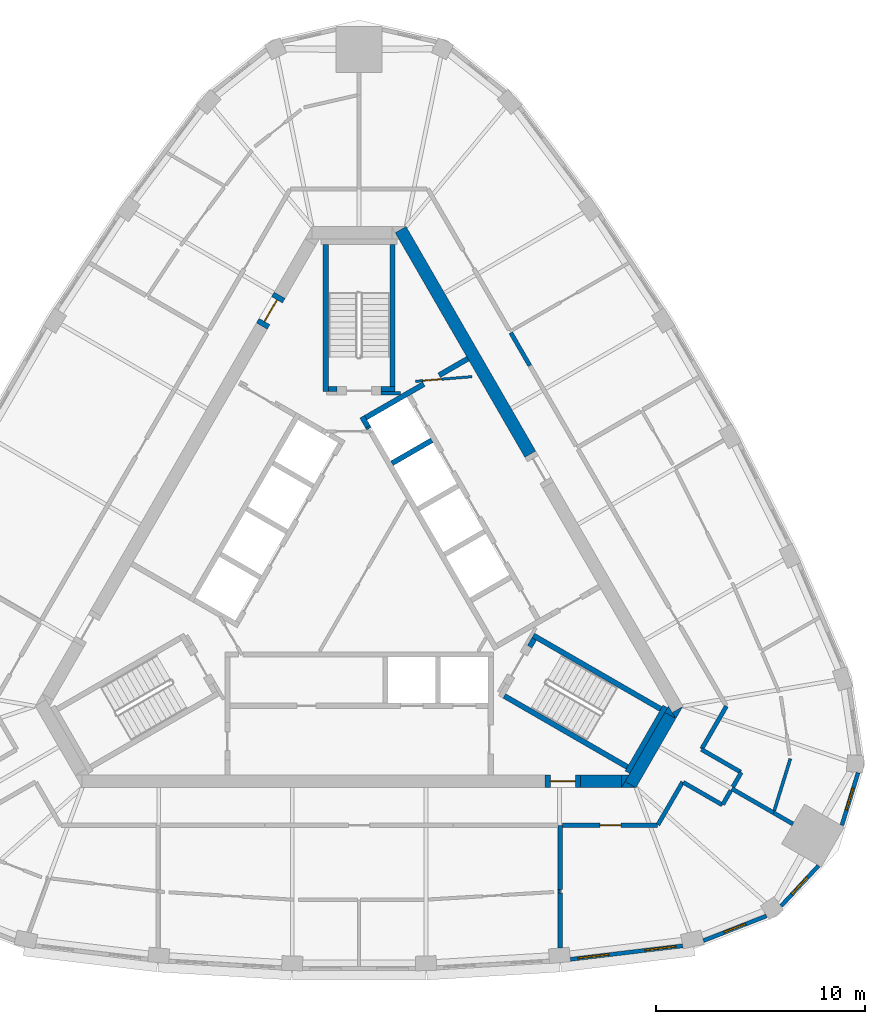
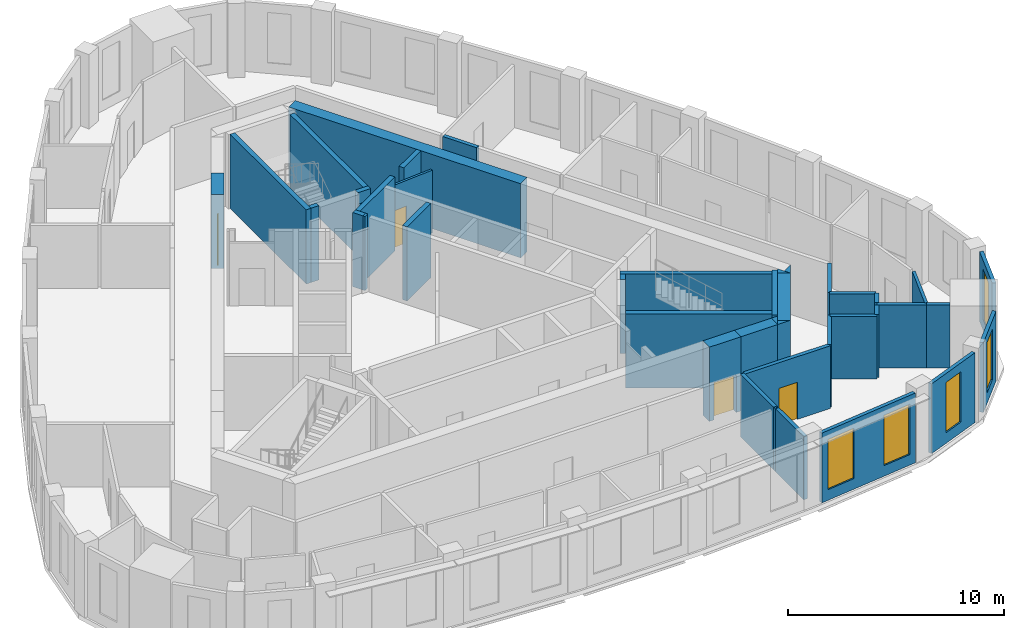
# One storey, part 6 of 10: 42 walls, 5 windows, 4 doors, 9 openings.
"""IFC4 building model written with IfcOpenShell, lengths in metres."""

from ifc_helpers import new_model, si_unit, direction, frame, frame_2d, origin, place, context, subcontext, project, spatial, polyline, rectangle, outline, extrude, material, layer, layer_set, type_object, element, fill, save


model = new_model("IFC4")

# Units and contexts
model_context = context("Model", 3, precision=1e-05, world=origin(), true_north=direction((0.0, 1.0)))
body_context = subcontext(model_context, "Body", "Model", "MODEL_VIEW")
ifc_project = project(units=[si_unit("LENGTHUNIT", "METRE"), si_unit("AREAUNIT", "SQUARE_METRE"), si_unit("VOLUMEUNIT", "CUBIC_METRE"), si_unit("PLANEANGLEUNIT", "RADIAN"), si_unit("MASSUNIT", "GRAM", prefix="KILO")], contexts=[model_context])

# Site, building, storey
site_placement = place(None, origin())
site = spatial("IfcSite", under=ifc_project, at=site_placement, CompositionType="ELEMENT")
building_placement = place(site_placement, origin())
building = spatial("IfcBuilding", under=site, at=building_placement, Name="Mestral Congress Tower", CompositionType="ELEMENT")
storey_placement = place(building_placement, frame((0.0, 0.0, 313.199951171875)))
storey = spatial("IfcBuildingStorey", under=building, at=storey_placement, Name="L73", CompositionType="ELEMENT", Elevation=313.199951171875)

# Wall
ifc_material_1 = material(Name="Fire-rated board partition")
ifc_layer_1 = layer(ifc_material_1, 0.14990234375)
ifc_layer_set_1 = layer_set([ifc_layer_1], Name="Fire-rated board partition")
wall_type_1 = type_object("IfcWallType", Name="Core partition 150", PredefinedType="PARTITIONING", material=ifc_layer_set_1)
wall_1_placement = place(storey_placement, frame((1.050048828125, 8.62548828125, 0.0), z_axis=(0.0, 0.0, 1.0), x_axis=(1.0, 0.0, 0.0)))
element("IfcWall", 1, at=wall_1_placement, inside=storey, type_object=wall_type_1, Name="L73 core wall", PredefinedType="PARTITIONING", context=body_context, shape_type="SweptSolid", body=[
    extrude(rectangle(XDim=0.9287109375, YDim=0.14990234375, at=frame_2d((0.46435546875, 0.0))), origin(), (0.0, 0.0, 1.0), 3.550048828125),
])

# Wall, opening, door
ifc_layer_2 = layer(ifc_material_1, 0.1201171875)
ifc_layer_set_2 = layer_set([ifc_layer_2], Name="Fire-rated board partition")
wall_type_2 = type_object("IfcWallType", Name="Core partition 150 door-wall 120", PredefinedType="PARTITIONING", material=ifc_layer_set_2)
wall_2_placement = place(storey_placement, frame((5.3984375, 9.418701171875, 0.0), z_axis=(0.0, 0.0, 1.0), x_axis=(-0.996653416376, -0.081743303248, 0.0)))
wall_2 = element("IfcWall", 2, at=wall_2_placement, inside=storey, type_object=wall_type_2, Name="L73 door wall", PredefinedType="PARTITIONING", context=body_context, shape_type="SweptSolid", body=[
    extrude(rectangle(XDim=2.699951171875, YDim=0.119873046875, at=frame_2d((1.35009765625, 0.0))), origin(), (0.0, 0.0, 1.0), 3.550048828125),
])
opening_1_placement = place(wall_2_placement, frame((1.449951171875, 0.0, 0.0)))
opening_1 = element("IfcOpeningElement", 3, at=opening_1_placement, cuts=wall_2, Name="Opening TD2", PredefinedType="OPENING", context=body_context, shape_type="SweptSolid", body=[
    extrude(rectangle(XDim=0.89990234375, YDim=2.10009765625, at=frame_2d((0.449951171875, 1.050048828125))), frame((0.0, 0.06982421875, 0.0), z_axis=(0.0, -1.0, 0.0), x_axis=(1.0, 0.0, 0.0)), (0.0, 0.0, 1.0), 0.139892578125),
])
ifc_material_2 = material(Name="Fire-rated steel door set", Category="steel")
door_type_1 = type_object("IfcDoorType", Name="Core door SR 900x2100", OperationType="SINGLE_SWING_LEFT", PredefinedType="DOOR", material=ifc_material_2)
door_1_placement = place(opening_1_placement, origin())
door_1 = element("IfcDoor", 4, at=door_1_placement, inside=storey, type_object=door_type_1, Name="Door TD2", OperationType="SINGLE_SWING_LEFT", OverallHeight=2.10009765625, OverallWidth=0.89990234375, PredefinedType="DOOR", context=body_context, shape_type="SweptSolid", body=[
    extrude(rectangle(XDim=0.89990234375, YDim=2.10009765625, at=frame_2d((0.449951171875, 1.050048828125))), frame((0.0, 0.02490234375, 0.0), z_axis=(0.0, -1.0, 0.0), x_axis=(1.0, 0.0, 0.0)), (0.0, 0.0, 1.0), 0.050048828125),
])
fill(opening_1, door_1)

# Walls
ifc_material_3 = material(Name="Concrete C60/75", Category="concrete")
ifc_layer_3 = layer(ifc_material_3, 0.60009765625)
ifc_layer_set_3 = layer_set([ifc_layer_3], Name="Concrete C60/75")
wall_type_3 = type_object("IfcWallType", Name="Core wall RC 600", PredefinedType="SOLIDWALL", material=ifc_layer_set_3)
placement = place(storey_placement, origin())
element("IfcWall", 5, at=placement, inside=storey, type_object=wall_type_3, Name="L73 core wall", PredefinedType="SOLIDWALL", context=body_context, shape_type="SweptSolid", body=[
    extrude(outline(polyline([(15.155517578125, -6.949951171875), (14.986572265625, -6.6572265625), (15.493408203125, -6.364501953125), (15.155517578125, -6.949951171875)])), origin(), (0.0, 0.0, 1.0), 4.199951171875),
])
wall_4_placement = place(storey_placement, frame((12.9873046875, -10.105712890625, 0.0), z_axis=(0.0, 0.0, 1.0), x_axis=(0.499950938802, 0.866053727428, 0.0)))
element("IfcWall", 6, at=wall_4_placement, inside=storey, type_object=wall_type_3, Name="L73 core wall", PredefinedType="SOLIDWALL", context=body_context, shape_type="SweptSolid", body=[
    extrude(rectangle(XDim=3.8232421875, YDim=0.60009765625, at=frame_2d((1.91162109375, 0.0))), origin(), (0.0, 0.0, 1.0), 4.199951171875),
])
element("IfcWall", 7, at=placement, inside=storey, type_object=wall_type_3, Name="L73 core wall", PredefinedType="SOLIDWALL", context=body_context, shape_type="SweptSolid", body=[
    extrude(outline(polyline([(12.726318359375, -9.957275390625), (13.2333984375, -10.25), (12.557373046875, -10.25), (12.726318359375, -9.957275390625)])), origin(), (0.0, 0.0, 1.0), 4.199951171875),
])
element("IfcWall", 8, at=placement, inside=storey, type_object=wall_type_3, Name="L73 core wall", PredefinedType="SOLIDWALL", context=body_context, shape_type="SweptSolid", body=[
    extrude(outline(polyline([(14.80908203125, -6.35009765625), (15.147216796875, -6.935791015625), (14.639892578125, -6.642822265625), (14.80908203125, -6.35009765625)])), origin(), (0.0, 0.0, 1.0), 4.199951171875),
])
wall_7_placement = place(storey_placement, frame((10.6044921875, -9.949951171875, 0.0), z_axis=(0.0, 0.0, 1.0), x_axis=(1.0, 0.0, 0.0)))
element("IfcWall", 9, at=wall_7_placement, inside=storey, type_object=wall_type_3, Name="L73 core wall", PredefinedType="SOLIDWALL", context=body_context, shape_type="SweptSolid", body=[
    extrude(rectangle(XDim=1.959228515625, YDim=0.60009765625, at=frame_2d((0.9794921875, 0.0))), origin(), (0.0, 0.0, 1.0), 4.199951171875),
])
element("IfcWall", 10, at=placement, inside=storey, type_object=wall_type_3, Name="L73 core wall", PredefinedType="SOLIDWALL", context=body_context, shape_type="SweptSolid", body=[
    extrude(outline(polyline([(12.90380859375, -9.64990234375), (12.56591796875, -10.235595703125), (12.56591796875, -9.64990234375), (12.90380859375, -9.64990234375)])), origin(), (0.0, 0.0, 1.0), 4.199951171875),
])
wall_9_placement = place(storey_placement, frame((1.98876953125, 16.45556640625, 0.0), z_axis=(0.0, 0.0, 1.0), x_axis=(0.49999102663, -0.8660305845, 0.0)))
element("IfcWall", 11, at=wall_9_placement, inside=storey, type_object=wall_type_3, Name="L73 core wall", PredefinedType="SOLIDWALL", context=body_context, shape_type="SweptSolid", body=[
    extrude(rectangle(XDim=12.406494140625, YDim=0.60009765625, at=frame_2d((6.203125, 0.0))), origin(), (0.0, 0.0, 1.0), 4.199951171875),
])

# Wall, opening, door
wall_10_placement = place(storey_placement, frame((10.6044921875, -9.949951171875, 0.0), z_axis=(0.0, 0.0, 1.0), x_axis=(-1.0, 0.0, 0.0)))
wall_10 = element("IfcWall", 12, at=wall_10_placement, inside=storey, type_object=wall_type_3, Name="L73 door wall", PredefinedType="SOLIDWALL", context=body_context, shape_type="SweptSolid", body=[
    extrude(rectangle(XDim=1.699951171875, YDim=0.60009765625, at=frame_2d((0.85009765625, 0.0))), origin(), (0.0, 0.0, 1.0), 4.199951171875),
])
opening_2_placement = place(wall_10_placement, frame((0.25, 0.0, 0.0)))
opening_2 = element("IfcOpeningElement", 13, at=opening_2_placement, cuts=wall_10, Name="Opening XD1", PredefinedType="OPENING", context=body_context, shape_type="SweptSolid", body=[
    extrude(rectangle(XDim=1.199951171875, YDim=2.10009765625, at=frame_2d((0.60009765625, 1.050048828125))), frame((0.0, 0.31005859375, 0.0), z_axis=(0.0, -1.0, 0.0), x_axis=(1.0, 0.0, 0.0)), (0.0, 0.0, 1.0), 0.6201171875),
])
door_type_2 = type_object("IfcDoorType", Name="Core door XD 1200x2100", OperationType="SINGLE_SWING_LEFT", PredefinedType="DOOR", material=ifc_material_2)
door_2_placement = place(opening_2_placement, origin())
door_2 = element("IfcDoor", 14, at=door_2_placement, inside=storey, type_object=door_type_2, Name="Door XD1", OperationType="SINGLE_SWING_LEFT", OverallHeight=2.10009765625, OverallWidth=1.199951171875, PredefinedType="DOOR", context=body_context, shape_type="SweptSolid", body=[
    extrude(rectangle(XDim=1.199951171875, YDim=2.10009765625, at=frame_2d((0.60009765625, 1.050048828125))), frame((0.0, 0.02490234375, 0.0), z_axis=(0.0, -1.0, 0.0), x_axis=(1.0, 0.0, 0.0)), (0.0, 0.0, 1.0), 0.050048828125),
])
fill(opening_2, door_2)

wall_11_placement = place(storey_placement, frame((-4.65234375, 11.842041015625, 0.0), z_axis=(0.0, 0.0, 1.0), x_axis=(0.500062241894, 0.865989465428, 0.0)))
wall_11 = element("IfcWall", 15, at=wall_11_placement, inside=storey, type_object=wall_type_3, Name="L73 door wall", PredefinedType="SOLIDWALL", context=body_context, shape_type="SweptSolid", body=[
    extrude(rectangle(XDim=1.699951171875, YDim=0.60009765625, at=frame_2d((0.85009765625, 0.0))), origin(), (0.0, 0.0, 1.0), 4.199951171875),
])
opening_3_placement = place(wall_11_placement, frame((0.25, 0.0, 0.0)))
opening_3 = element("IfcOpeningElement", 16, at=opening_3_placement, cuts=wall_11, Name="Opening XD2", PredefinedType="OPENING", context=body_context, shape_type="SweptSolid", body=[
    extrude(rectangle(XDim=1.199951171875, YDim=2.10009765625, at=frame_2d((0.60009765625, 1.050048828125))), frame((0.0, 0.31005859375, 0.0), z_axis=(0.0, -1.0, 0.0), x_axis=(1.0, 0.0, 0.0)), (0.0, 0.0, 1.0), 0.6201171875),
])
door_3_placement = place(opening_3_placement, origin())
door_3 = element("IfcDoor", 17, at=door_3_placement, inside=storey, type_object=door_type_2, Name="Door XD2", OperationType="SINGLE_SWING_LEFT", OverallHeight=2.10009765625, OverallWidth=1.199951171875, PredefinedType="DOOR", context=body_context, shape_type="SweptSolid", body=[
    extrude(rectangle(XDim=1.199951171875, YDim=2.10009765625, at=frame_2d((0.60009765625, 1.050048828125))), frame((0.0, 0.02490234375, 0.0), z_axis=(0.0, -1.0, 0.0), x_axis=(1.0, 0.0, 0.0)), (0.0, 0.0, 1.0), 0.050048828125),
])
fill(opening_3, door_3)

# Wall, openings, windows
ifc_material_4 = material(Name="Precast concrete C40/50 with limestone facing", Category="masonry")
ifc_layer_4 = layer(ifc_material_4, 0.18994140625)
ifc_layer_set_4 = layer_set([ifc_layer_4], Name="Precast concrete C40/50 with limestone facing")
wall_type_4 = type_object("IfcWallType", Name="Facade stone wall 190", PredefinedType="SOLIDWALL", material=ifc_layer_set_4)
wall_12_placement = place(storey_placement, frame((10.110595703125, -18.4677734375, 0.0), z_axis=(0.0, 0.0, 1.0), x_axis=(0.992885582795, 0.119072328769, 0.0)))
wall_12 = element("IfcWall", 18, at=wall_12_placement, inside=storey, type_object=wall_type_4, Name="Facade wall F0-04", PredefinedType="SOLIDWALL", context=body_context, shape_type="SweptSolid", body=[
    extrude(rectangle(XDim=5.4150390625, YDim=0.18994140625, at=frame_2d((2.70751953125, 0.0))), origin(), (0.0, 0.0, 1.0), 3.949951171875),
])
opening_4_placement = place(wall_12_placement, frame((0.357421875, 0.0, 0.60009765625)))
opening_4 = element("IfcOpeningElement", 19, at=opening_4_placement, cuts=wall_12, Name="Opening W6", PredefinedType="OPENING", context=body_context, shape_type="SweptSolid", body=[
    extrude(rectangle(XDim=1.5, YDim=2.85009765625, at=frame_2d((0.75, 1.425048828125))), frame((0.0, 0.10498046875, 0.0), z_axis=(0.0, -1.0, 0.0), x_axis=(1.0, 0.0, 0.0)), (0.0, 0.0, 1.0), 0.2099609375),
])
opening_5_placement = place(wall_12_placement, frame((3.592529296875, 0.0, 0.60009765625)))
opening_5 = element("IfcOpeningElement", 20, at=opening_5_placement, cuts=wall_12, Name="Opening W6", PredefinedType="OPENING", context=body_context, shape_type="SweptSolid", body=[
    extrude(rectangle(XDim=1.5, YDim=2.85009765625, at=frame_2d((0.75, 1.425048828125))), frame((0.0, 0.10498046875, 0.0), z_axis=(0.0, -1.0, 0.0), x_axis=(1.0, 0.0, 0.0)), (0.0, 0.0, 1.0), 0.2099609375),
])
ifc_material_5 = material(Name="Clear low-emissivity double glazing", Category="glass")
window_type_1 = type_object("IfcWindowType", Name="Facade punched window 1500 x 2850 sill 600", PartitioningType="SINGLE_PANEL", PredefinedType="WINDOW", material=ifc_material_5)
window_1_placement = place(opening_4_placement, origin())
window_1 = element("IfcWindow", 21, at=window_1_placement, inside=storey, type_object=window_type_1, Name="Window F0-04a", OverallHeight=2.85009765625, OverallWidth=1.5, PartitioningType="SINGLE_PANEL", PredefinedType="WINDOW", context=body_context, shape_type="SweptSolid", body=[
    extrude(rectangle(XDim=1.5, YDim=2.85009765625, at=frame_2d((0.75, 1.425048828125))), frame((0.0, 0.044921875, 0.0), z_axis=(0.0, -1.0, 0.0), x_axis=(1.0, 0.0, 0.0)), (0.0, 0.0, 1.0), 0.06005859375),
])
fill(opening_4, window_1)
window_2_placement = place(opening_5_placement, origin())
window_2 = element("IfcWindow", 22, at=window_2_placement, inside=storey, type_object=window_type_1, Name="Window F0-04b", OverallHeight=2.85009765625, OverallWidth=1.5, PartitioningType="SINGLE_PANEL", PredefinedType="WINDOW", context=body_context, shape_type="SweptSolid", body=[
    extrude(rectangle(XDim=1.5, YDim=2.85009765625, at=frame_2d((0.75, 1.425048828125))), frame((0.0, 0.044921875, 0.0), z_axis=(0.0, -1.0, 0.0), x_axis=(1.0, 0.0, 0.0)), (0.0, 0.0, 1.0), 0.06005859375),
])
fill(opening_5, window_2)

# Wall, opening, window
wall_13_placement = place(storey_placement, frame((16.48291015625, -17.572998046875, 0.0), z_axis=(0.0, 0.0, 1.0), x_axis=(0.93100888477, 0.364996515709, 0.0)))
wall_13 = element("IfcWall", 23, at=wall_13_placement, inside=storey, type_object=wall_type_4, Name="Facade wall K0-0", PredefinedType="SOLIDWALL", context=body_context, shape_type="SweptSolid", body=[
    extrude(rectangle(XDim=3.23681640625, YDim=0.18994140625, at=frame_2d((1.618408203125, 0.0))), origin(), (0.0, 0.0, 1.0), 3.949951171875),
])
opening_6_placement = place(wall_13_placement, frame((1.068359375, 0.0, 0.60009765625)))
opening_6 = element("IfcOpeningElement", 24, at=opening_6_placement, cuts=wall_13, Name="Opening W7", PredefinedType="OPENING", context=body_context, shape_type="SweptSolid", body=[
    extrude(rectangle(XDim=1.10009765625, YDim=2.85009765625, at=frame_2d((0.550048828125, 1.425048828125))), frame((0.0, 0.10498046875, 0.0), z_axis=(0.0, -1.0, 0.0), x_axis=(1.0, 0.0, 0.0)), (0.0, 0.0, 1.0), 0.2099609375),
])
window_type_2 = type_object("IfcWindowType", Name="Facade punched window 1100 x 2850 sill 600", PartitioningType="SINGLE_PANEL", PredefinedType="WINDOW", material=ifc_material_5)
window_3_placement = place(opening_6_placement, origin())
window_3 = element("IfcWindow", 25, at=window_3_placement, inside=storey, type_object=window_type_2, Name="Window K0-0", OverallHeight=2.85009765625, OverallWidth=1.10009765625, PartitioningType="SINGLE_PANEL", PredefinedType="WINDOW", context=body_context, shape_type="SweptSolid", body=[
    extrude(rectangle(XDim=1.10009765625, YDim=2.85009765625, at=frame_2d((0.550048828125, 1.425048828125))), frame((0.0, 0.044921875, 0.0), z_axis=(0.0, -1.0, 0.0), x_axis=(1.0, 0.0, 0.0)), (0.0, 0.0, 1.0), 0.06005859375),
])
fill(opening_6, window_3)

wall_14_placement = place(storey_placement, frame((20.197998046875, -15.91357421875, 0.0), z_axis=(0.0, 0.0, 1.0), x_axis=(0.680219354823, 0.733008614768, 0.0)))
wall_14 = element("IfcWall", 26, at=wall_14_placement, inside=storey, type_object=wall_type_4, Name="Facade wall K0-1", PredefinedType="SOLIDWALL", context=body_context, shape_type="SweptSolid", body=[
    extrude(rectangle(XDim=2.626953125, YDim=0.18994140625, at=frame_2d((1.3134765625, 0.0))), origin(), (0.0, 0.0, 1.0), 3.949951171875),
])
opening_7_placement = place(wall_14_placement, frame((0.763427734375, 0.0, 0.60009765625)))
opening_7 = element("IfcOpeningElement", 27, at=opening_7_placement, cuts=wall_14, Name="Opening W7", PredefinedType="OPENING", context=body_context, shape_type="SweptSolid", body=[
    extrude(rectangle(XDim=1.10009765625, YDim=2.85009765625, at=frame_2d((0.550048828125, 1.425048828125))), frame((0.0, 0.10498046875, 0.0), z_axis=(0.0, -1.0, 0.0), x_axis=(1.0, 0.0, 0.0)), (0.0, 0.0, 1.0), 0.2099609375),
])
window_4_placement = place(opening_7_placement, origin())
window_4 = element("IfcWindow", 28, at=window_4_placement, inside=storey, type_object=window_type_2, Name="Window K0-1", OverallHeight=2.85009765625, OverallWidth=1.10009765625, PartitioningType="SINGLE_PANEL", PredefinedType="WINDOW", context=body_context, shape_type="SweptSolid", body=[
    extrude(rectangle(XDim=1.10009765625, YDim=2.85009765625, at=frame_2d((0.550048828125, 1.425048828125))), frame((0.0, 0.044921875, 0.0), z_axis=(0.0, -1.0, 0.0), x_axis=(1.0, 0.0, 0.0)), (0.0, 0.0, 1.0), 0.06005859375),
])
fill(opening_7, window_4)

wall_15_placement = place(storey_placement, frame((23.1064453125, -12.04541015625, 0.0), z_axis=(0.0, 0.0, 1.0), x_axis=(0.294706210429, 0.9555879078, 0.0)))
wall_15 = element("IfcWall", 29, at=wall_15_placement, inside=storey, type_object=wall_type_4, Name="Facade wall K0-2", PredefinedType="SOLIDWALL", context=body_context, shape_type="SweptSolid", body=[
    extrude(rectangle(XDim=2.626953125, YDim=0.18994140625, at=frame_2d((1.3134765625, 0.0))), origin(), (0.0, 0.0, 1.0), 3.949951171875),
])
opening_8_placement = place(wall_15_placement, frame((0.763427734375, 0.0, 0.60009765625)))
opening_8 = element("IfcOpeningElement", 30, at=opening_8_placement, cuts=wall_15, Name="Opening W7", PredefinedType="OPENING", context=body_context, shape_type="SweptSolid", body=[
    extrude(rectangle(XDim=1.10009765625, YDim=2.85009765625, at=frame_2d((0.550048828125, 1.425048828125))), frame((0.0, 0.10498046875, 0.0), z_axis=(0.0, -1.0, 0.0), x_axis=(1.0, 0.0, 0.0)), (0.0, 0.0, 1.0), 0.2099609375),
])
window_5_placement = place(opening_8_placement, origin())
window_5 = element("IfcWindow", 31, at=window_5_placement, inside=storey, type_object=window_type_2, Name="Window K0-2", OverallHeight=2.85009765625, OverallWidth=1.10009765625, PartitioningType="SINGLE_PANEL", PredefinedType="WINDOW", context=body_context, shape_type="SweptSolid", body=[
    extrude(rectangle(XDim=1.10009765625, YDim=2.85009765625, at=frame_2d((0.550048828125, 1.425048828125))), frame((0.0, 0.044921875, 0.0), z_axis=(0.0, -1.0, 0.0), x_axis=(1.0, 0.0, 0.0)), (0.0, 0.0, 1.0), 0.06005859375),
])
fill(opening_8, window_5)

# Walls
ifc_material_6 = material(Name="Plasterboard partition on steel studs", Category="steel")
ifc_layer_5 = layer(ifc_material_6, 0.14990234375)
ifc_layer_set_5 = layer_set([ifc_layer_5], Name="Plasterboard partition on steel studs")
wall_type_5 = type_object("IfcWallType", Name="Office partition 150", PredefinedType="PARTITIONING", material=ifc_layer_set_5)
wall_16_placement = place(storey_placement, frame((9.528076171875, -15.218994140625, 0.0), z_axis=(0.0, 0.0, 1.0), x_axis=(0.992830592569, 0.119529973061, 0.0)))
element("IfcWall", 32, at=wall_16_placement, inside=storey, type_object=wall_type_5, Name="Partition", PredefinedType="PARTITIONING", context=body_context, shape_type="SweptSolid", body=[
    extrude(rectangle(XDim=0.10009765625, YDim=0.14990234375, at=frame_2d((0.050048828125, 0.0))), origin(), (0.0, 0.0, 1.0), 3.550048828125),
])
wall_17_placement = place(storey_placement, frame((19.87060546875, -11.35693359375, 0.0), z_axis=(0.0, 0.0, 1.0), x_axis=(0.294698154857, 0.955590392126, 0.0)))
element("IfcWall", 33, at=wall_17_placement, inside=storey, type_object=wall_type_5, Name="Partition", PredefinedType="PARTITIONING", context=body_context, shape_type="SweptSolid", body=[
    extrude(rectangle(XDim=2.60546875, YDim=0.14990234375, at=frame_2d((1.302734375, 0.0))), origin(), (0.0, 0.0, 1.0), 3.550048828125),
])
ifc_material_7 = material(Name="Dense masonry wall, plastered", Category="masonry")
ifc_layer_6 = layer(ifc_material_7, 0.199951171875)
ifc_layer_set_6 = layer_set([ifc_layer_6], Name="Dense masonry wall, plastered")
wall_type_6 = type_object("IfcWallType", Name="Office tenancy wall 200", PredefinedType="PARTITIONING", material=ifc_layer_set_6)
wall_18_placement = place(storey_placement, frame((9.62744140625, -15.28271484375, 0.0), z_axis=(0.0, 0.0, 1.0), x_axis=(0.0, -1.0, 0.0)))
element("IfcWall", 34, at=wall_18_placement, inside=storey, type_object=wall_type_6, Name="Tenancy wall", PredefinedType="PARTITIONING", context=body_context, shape_type="SweptSolid", body=[
    extrude(rectangle(XDim=2.635986328125, YDim=0.199951171875, at=frame_2d((1.31787109375, 0.0))), origin(), (0.0, 0.0, 1.0), 3.550048828125),
])
wall_19_placement = place(storey_placement, frame((9.62744140625, -12.050048828125, 0.0), z_axis=(0.0, 0.0, 1.0), x_axis=(0.0, -1.0, 0.0)))
element("IfcWall", 35, at=wall_19_placement, inside=storey, type_object=wall_type_6, Name="Tenancy wall", PredefinedType="PARTITIONING", context=body_context, shape_type="SweptSolid", body=[
    extrude(rectangle(XDim=3.08154296875, YDim=0.199951171875, at=frame_2d((1.540771484375, 0.0))), origin(), (0.0, 0.0, 1.0), 3.550048828125),
])
wall_20_placement = place(storey_placement, frame((19.8369140625, -11.452880859375, 0.0), z_axis=(0.0, 0.0, 1.0), x_axis=(0.866049104564, -0.499958946799, 0.0)))
element("IfcWall", 36, at=wall_20_placement, inside=storey, type_object=wall_type_6, Name="Tenancy wall", PredefinedType="PARTITIONING", context=body_context, shape_type="SweptSolid", body=[
    extrude(rectangle(XDim=1.072265625, YDim=0.199951171875, at=frame_2d((0.5361328125, 0.0))), origin(), (0.0, 0.0, 1.0), 3.550048828125),
])
wall_21_placement = place(storey_placement, frame((17.840087890625, -10.300048828125, 0.0), z_axis=(0.0, 0.0, 1.0), x_axis=(0.866066110499, -0.499929487274, 0.0)))
element("IfcWall", 37, at=wall_21_placement, inside=storey, type_object=wall_type_6, Name="Tenancy wall", PredefinedType="PARTITIONING", context=body_context, shape_type="SweptSolid", body=[
    extrude(rectangle(XDim=2.313720703125, YDim=0.199951171875, at=frame_2d((1.15673828125, 0.0))), origin(), (0.0, 0.0, 1.0), 3.550048828125),
])

# Wall, opening, door
wall_22_placement = place(storey_placement, frame((9.727294921875, -12.050048828125, 0.0), z_axis=(0.0, 0.0, 1.0), x_axis=(1.0, 0.0, 0.0)))
wall_22 = element("IfcWall", 38, at=wall_22_placement, inside=storey, type_object=wall_type_6, Name="Tenancy wall", PredefinedType="PARTITIONING", context=body_context, shape_type="SweptSolid", body=[
    extrude(rectangle(XDim=4.56201171875, YDim=0.199951171875, at=frame_2d((2.281005859375, 0.0))), origin(), (0.0, 0.0, 1.0), 3.550048828125),
])
opening_9_placement = place(wall_22_placement, frame((1.800048828125, 0.0, 0.0)))
opening_9 = element("IfcOpeningElement", 39, at=opening_9_placement, cuts=wall_22, Name="Opening O14-004", PredefinedType="OPENING", context=body_context, shape_type="SweptSolid", body=[
    extrude(rectangle(XDim=1.0, YDim=2.10009765625, at=frame_2d((0.5, 1.050048828125))), frame((0.0, 0.10986328125, 0.0), z_axis=(0.0, -1.0, 0.0), x_axis=(1.0, 0.0, 0.0)), (0.0, 0.0, 1.0), 0.219970703125),
])
ifc_material_8 = material(Name="Fire-rated timber door set", Category="wood")
door_type_3 = type_object("IfcDoorType", Name="Office tenancy entrance door 1000x2100", OperationType="SINGLE_SWING_LEFT", PredefinedType="DOOR", material=ifc_material_8)
door_4_placement = place(opening_9_placement, origin())
door_4 = element("IfcDoor", 40, at=door_4_placement, inside=storey, type_object=door_type_3, Name="Door O14-004", OperationType="SINGLE_SWING_RIGHT", OverallHeight=2.10009765625, OverallWidth=1.0, PredefinedType="DOOR", context=body_context, shape_type="SweptSolid", body=[
    extrude(rectangle(XDim=1.0, YDim=2.10009765625, at=frame_2d((0.5, 1.050048828125))), frame((0.0, 0.02490234375, 0.0), z_axis=(0.0, -1.0, 0.0), x_axis=(1.0, 0.0, 0.0)), (0.0, 0.0, 1.0), 0.050048828125),
])
fill(opening_9, door_4)

# Walls
wall_23_placement = place(storey_placement, frame((14.304443359375, -12.02392578125, 0.0), z_axis=(0.0, 0.0, 1.0), x_axis=(0.500020852261, 0.866013364391, 0.0)))
element("IfcWall", 41, at=wall_23_placement, inside=storey, type_object=wall_type_6, Name="Tenancy wall", PredefinedType="PARTITIONING", context=body_context, shape_type="SweptSolid", body=[
    extrude(rectangle(XDim=2.36083984375, YDim=0.199951171875, at=frame_2d((1.180419921875, 0.0))), origin(), (0.0, 0.0, 1.0), 3.550048828125),
])
wall_24_placement = place(storey_placement, frame((15.5107421875, -9.994384765625, 0.0), z_axis=(0.0, 0.0, 1.0), x_axis=(0.866046953215, -0.499962673433, 0.0)))
element("IfcWall", 42, at=wall_24_placement, inside=storey, type_object=wall_type_6, Name="Tenancy wall", PredefinedType="PARTITIONING", context=body_context, shape_type="SweptSolid", body=[
    extrude(rectangle(XDim=2.170166015625, YDim=0.199951171875, at=frame_2d((1.0849609375, 0.0))), origin(), (0.0, 0.0, 1.0), 3.550048828125),
])
wall_25_placement = place(storey_placement, frame((17.405029296875, -11.053466796875, 0.0), z_axis=(0.0, 0.0, 1.0), x_axis=(0.500060979923, 0.865990194147, 0.0)))
element("IfcWall", 43, at=wall_25_placement, inside=storey, type_object=wall_type_6, Name="Tenancy wall", PredefinedType="PARTITIONING", context=body_context, shape_type="SweptSolid", body=[
    extrude(rectangle(XDim=0.77001953125, YDim=0.199951171875, at=frame_2d((0.385009765625, 0.0))), origin(), (0.0, 0.0, 1.0), 3.550048828125),
])
wall_26_placement = place(storey_placement, frame((17.89013671875, -10.21337890625, 0.0), z_axis=(0.0, 0.0, 1.0), x_axis=(0.499880961361, 0.866094119867, 0.0)))
element("IfcWall", 44, at=wall_26_placement, inside=storey, type_object=wall_type_6, Name="Tenancy wall", PredefinedType="PARTITIONING", context=body_context, shape_type="SweptSolid", body=[
    extrude(rectangle(XDim=0.800048828125, YDim=0.199951171875, at=frame_2d((0.39990234375, 0.0))), origin(), (0.0, 0.0, 1.0), 3.550048828125),
])
wall_27_placement = place(storey_placement, frame((18.26416015625, -9.505615234375, 0.0), z_axis=(0.0, 0.0, 1.0), x_axis=(-0.866018827591, 0.500011390128, 0.0)))
element("IfcWall", 45, at=wall_27_placement, inside=storey, type_object=wall_type_6, Name="Tenancy wall", PredefinedType="PARTITIONING", context=body_context, shape_type="SweptSolid", body=[
    extrude(rectangle(XDim=2.169921875, YDim=0.199951171875, at=frame_2d((1.0849609375, 0.0))), origin(), (0.0, 0.0, 1.0), 3.550048828125),
])
wall_28_placement = place(storey_placement, frame((16.39990234375, -8.39453125, 0.0), z_axis=(0.0, 0.0, 1.0), x_axis=(0.500020852261, 0.866013364391, 0.0)))
element("IfcWall", 46, at=wall_28_placement, inside=storey, type_object=wall_type_6, Name="Tenancy wall", PredefinedType="PARTITIONING", context=body_context, shape_type="SweptSolid", body=[
    extrude(rectangle(XDim=2.36083984375, YDim=0.199951171875, at=frame_2d((1.180419921875, 0.0))), origin(), (0.0, 0.0, 1.0), 3.550048828125),
])
wall_29_placement = place(storey_placement, frame((8.170654296875, 9.947998046875, 0.0), z_axis=(0.0, 0.0, 1.0), x_axis=(-0.500044545065, 0.865999684151, 0.0)))
element("IfcWall", 47, at=wall_29_placement, inside=storey, type_object=wall_type_6, Name="Tenancy wall", PredefinedType="PARTITIONING", context=body_context, shape_type="SweptSolid", body=[
    extrude(rectangle(XDim=1.815185546875, YDim=0.199951171875, at=frame_2d((0.90771484375, 0.0))), origin(), (0.0, 0.0, 1.0), 3.550048828125),
])
ifc_layer_7 = layer(ifc_material_3, 0.25)
ifc_layer_set_7 = layer_set([ifc_layer_7], Name="Concrete C60/75")
wall_type_7 = type_object("IfcWallType", Name="Shaft wall RC 250", PredefinedType="SOLIDWALL", material=ifc_layer_set_7)
wall_30_placement = place(storey_placement, frame((0.473388671875, 6.93017578125, 0.0), z_axis=(0.0, 0.0, 1.0), x_axis=(-0.49972245349, 0.866185586049, 0.0)))
element("IfcWall", 48, at=wall_30_placement, inside=storey, type_object=wall_type_7, Name="L73 core wall", PredefinedType="SOLIDWALL", context=body_context, shape_type="SweptSolid", body=[
    extrude(rectangle(XDim=0.10986328125, YDim=0.25, at=frame_2d((0.054931640625, 0.0))), origin(), (0.0, 0.0, 1.0), 4.199951171875),
])
wall_31_placement = place(storey_placement, frame((0.41748046875, 7.027099609375, 0.0), z_axis=(0.0, 0.0, 1.0), x_axis=(-0.500210807569, 0.865903659763, 0.0)))
element("IfcWall", 49, at=wall_31_placement, inside=storey, type_object=wall_type_7, Name="L73 core wall", PredefinedType="SOLIDWALL", context=body_context, shape_type="SweptSolid", body=[
    extrude(rectangle(XDim=0.548095703125, YDim=0.25, at=frame_2d((0.27392578125, 0.0))), origin(), (0.0, 0.0, 1.0), 4.199951171875),
])
wall_32_placement = place(storey_placement, frame((3.10009765625, 9.064453125, 0.0), z_axis=(0.0, 0.0, 1.0), x_axis=(-0.866030133475, -0.499991807846, 0.0)))
element("IfcWall", 50, at=wall_32_placement, inside=storey, type_object=wall_type_7, Name="L73 core wall", PredefinedType="SOLIDWALL", context=body_context, shape_type="SweptSolid", body=[
    extrude(rectangle(XDim=3.216796875, YDim=0.25, at=frame_2d((1.6083984375, 0.0))), origin(), (0.0, 0.0, 1.0), 4.199951171875),
])
wall_33_placement = place(storey_placement, frame((1.57421875, 5.273681640625, 0.0), z_axis=(0.0, 0.0, 1.0), x_axis=(0.866028486751, 0.499994660107, 0.0)))
element("IfcWall", 51, at=wall_33_placement, inside=storey, type_object=wall_type_7, Name="L73 core wall", PredefinedType="SOLIDWALL", context=body_context, shape_type="SweptSolid", body=[
    extrude(rectangle(XDim=2.19970703125, YDim=0.25, at=frame_2d((1.099853515625, 0.0))), origin(), (0.0, 0.0, 1.0), 4.199951171875),
])
wall_34_placement = place(storey_placement, frame((3.82958984375, 9.485595703125, 0.0), z_axis=(0.0, 0.0, 1.0), x_axis=(0.865986202621, 0.500067892261, 0.0)))
element("IfcWall", 52, at=wall_34_placement, inside=storey, type_object=wall_type_7, Name="L73 core wall", PredefinedType="SOLIDWALL", context=body_context, shape_type="SweptSolid", body=[
    extrude(rectangle(XDim=1.590576171875, YDim=0.25, at=frame_2d((0.79541015625, 0.0))), origin(), (0.0, 0.0, 1.0), 4.199951171875),
])
ifc_layer_8 = layer(ifc_material_3, 0.25)
ifc_layer_set_8 = layer_set([ifc_layer_8], Name="Concrete C60/75")
wall_type_8 = type_object("IfcWallType", Name="Stair wall RC 250", PredefinedType="SOLIDWALL", material=ifc_layer_set_8)
wall_35_placement = place(storey_placement, frame((12.839599609375, -9.510986328125, 0.0), z_axis=(0.0, 0.0, 1.0), x_axis=(0.500048121057, 0.865997619297, 0.0)))
element("IfcWall", 53, at=wall_35_placement, inside=storey, type_object=wall_type_8, Name="L73 core wall", PredefinedType="SOLIDWALL", context=body_context, shape_type="SweptSolid", body=[
    extrude(rectangle(XDim=3.634033203125, YDim=0.25, at=frame_2d((1.81689453125, 0.0))), origin(), (0.0, 0.0, 1.0), 4.199951171875),
])
wall_36_placement = place(storey_placement, frame((12.83984375, -9.2607421875, 0.0), z_axis=(0.0, 0.0, 1.0), x_axis=(-0.866013990052, 0.500019768644, 0.0)))
element("IfcWall", 54, at=wall_36_placement, inside=storey, type_object=wall_type_8, Name="L73 core wall", PredefinedType="SOLIDWALL", context=body_context, shape_type="SweptSolid", body=[
    extrude(rectangle(XDim=6.800048828125, YDim=0.25, at=frame_2d((3.39990234375, 0.0))), origin(), (0.0, 0.0, 1.0), 4.199951171875),
])
wall_37_placement = place(storey_placement, frame((8.33447265625, -2.96435546875, 0.0), z_axis=(0.0, 0.0, 1.0), x_axis=(0.866016039709, -0.500016218704, 0.0)))
element("IfcWall", 55, at=wall_37_placement, inside=storey, type_object=wall_type_8, Name="L73 core wall", PredefinedType="SOLIDWALL", context=body_context, shape_type="SweptSolid", body=[
    extrude(rectangle(XDim=7.050048828125, YDim=0.25, at=frame_2d((3.52490234375, 0.0))), origin(), (0.0, 0.0, 1.0), 4.199951171875),
])
wall_38_placement = place(storey_placement, frame((8.167724609375, -3.503173828125, 0.0), z_axis=(0.0, 0.0, 1.0), x_axis=(0.49972245349, 0.866185586049, 0.0)))
element("IfcWall", 56, at=wall_38_placement, inside=storey, type_object=wall_type_8, Name="L73 core wall", PredefinedType="SOLIDWALL", context=body_context, shape_type="SweptSolid", body=[
    extrude(rectangle(XDim=0.425048828125, YDim=0.25, at=frame_2d((0.21240234375, 0.0))), origin(), (0.0, 0.0, 1.0), 4.199951171875),
])
wall_39_placement = place(storey_placement, frame((1.60009765625, 8.949951171875, 0.0), z_axis=(0.0, 0.0, 1.0), x_axis=(0.0, 1.0, 0.0)))
element("IfcWall", 57, at=wall_39_placement, inside=storey, type_object=wall_type_8, Name="L73 core wall", PredefinedType="SOLIDWALL", context=body_context, shape_type="SweptSolid", body=[
    extrude(rectangle(XDim=6.800048828125, YDim=0.25, at=frame_2d((3.39990234375, 0.0))), origin(), (0.0, 0.0, 1.0), 4.199951171875),
])
wall_40_placement = place(storey_placement, frame((1.050048828125, 8.824951171875, 0.0), z_axis=(0.0, 0.0, 1.0), x_axis=(1.0, 0.0, 0.0)))
element("IfcWall", 58, at=wall_40_placement, inside=storey, type_object=wall_type_8, Name="L73 core wall", PredefinedType="SOLIDWALL", context=body_context, shape_type="SweptSolid", body=[
    extrude(rectangle(XDim=0.675048828125, YDim=0.25, at=frame_2d((0.33740234375, 0.0))), origin(), (0.0, 0.0, 1.0), 4.199951171875),
])
wall_41_placement = place(storey_placement, frame((-1.60009765625, 8.699951171875, 0.0), z_axis=(0.0, 0.0, 1.0), x_axis=(0.0, 1.0, 0.0)))
element("IfcWall", 59, at=wall_41_placement, inside=storey, type_object=wall_type_8, Name="L73 core wall", PredefinedType="SOLIDWALL", context=body_context, shape_type="SweptSolid", body=[
    extrude(rectangle(XDim=7.050048828125, YDim=0.25, at=frame_2d((3.52490234375, 0.0))), origin(), (0.0, 0.0, 1.0), 4.199951171875),
])
wall_42_placement = place(storey_placement, frame((-1.47509765625, 8.824951171875, 0.0), z_axis=(0.0, 0.0, 1.0), x_axis=(1.0, 0.0, 0.0)))
element("IfcWall", 60, at=wall_42_placement, inside=storey, type_object=wall_type_8, Name="L73 core wall", PredefinedType="SOLIDWALL", context=body_context, shape_type="SweptSolid", body=[
    extrude(rectangle(XDim=0.425048828125, YDim=0.25, at=frame_2d((0.21240234375, 0.0))), origin(), (0.0, 0.0, 1.0), 4.199951171875),
])

save(model, "model.ifc")
